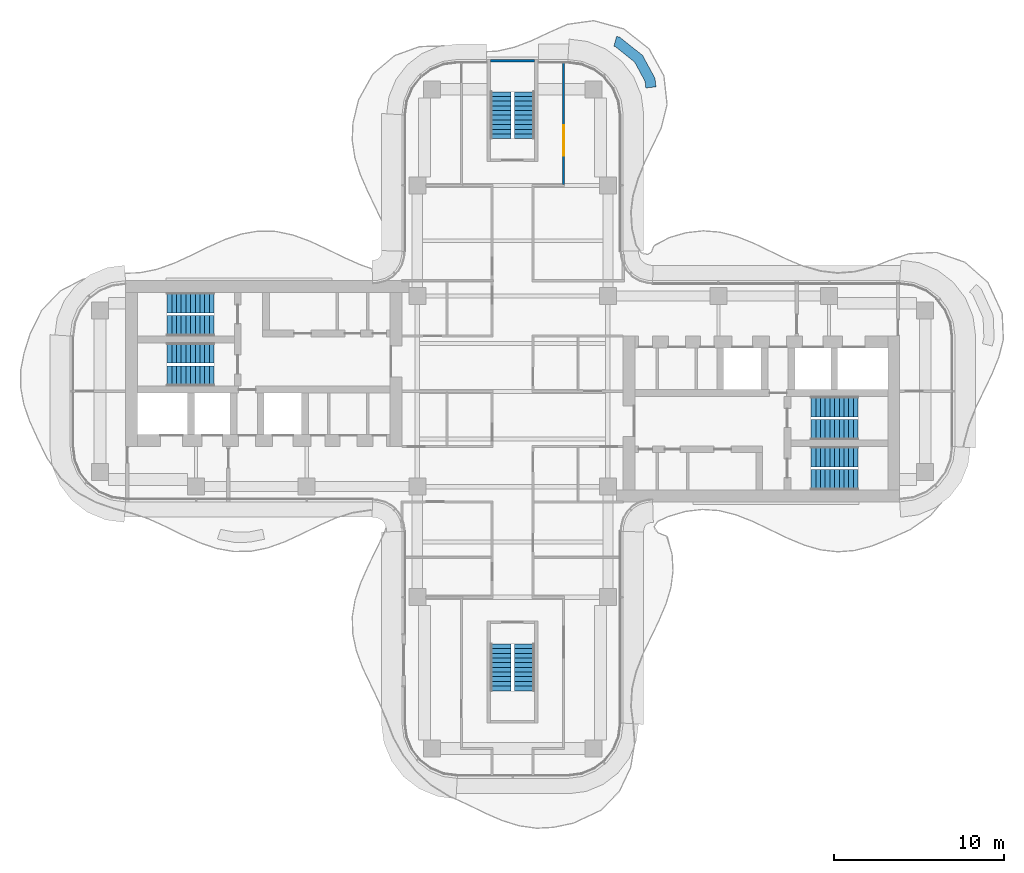
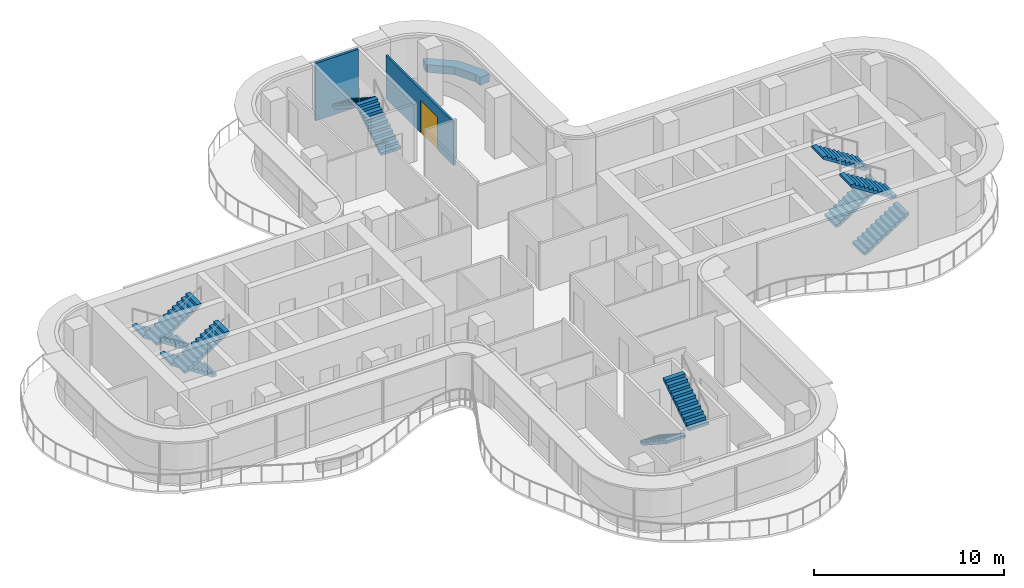
# One storey, part 14 of 16: 12 stair flights, 3 walls, 1 door, 1 opening, 6 elements without a shape of their own.
"""IFC4 building model written with IfcOpenShell, lengths in metres."""

import ifcopenshell
import ifcopenshell.guid

model = None  # the IFC model being written
_history = None  # IfcOwnerHistory: only IFC2X3 demands one
_inside = {}  # id of a spatial element -> (the spatial element, [elements in it])
_under = {}  # id of a project, library or spatial element -> (it, [spatial elements below it])
_declared = {}  # id of a project -> (the project, [libraries it declares])
_typed = {}  # id of a type object -> (the type object, [elements of that type])
_made_of = {}  # id of a material, layer set ... -> (it, [elements and type objects made of it])


def new_model(schema):
    """Start an empty IFC model of exactly this schema.

    Asked for "IFC4X3", IfcOpenShell would pick the latest addendum, in which some entities
    have other attributes; the version numbers below select the first issue.
    IFC2X3 requires an IfcOwnerHistory on every rooted entity: one is made here for all.
    """
    global model, _history
    if schema == "IFC4X3":
        model = ifcopenshell.file(schema_version=(4, 3, 0, 0))
    else:
        model = ifcopenshell.file(schema=schema)
    _inside.clear()
    _under.clear()
    _declared.clear()
    _typed.clear()
    _made_of.clear()
    _history = None
    if model.schema == "IFC2X3":
        org = make("IfcOrganization", Name="unknown")
        user = make(
            "IfcPersonAndOrganization",
            ThePerson=make("IfcPerson", FamilyName="unknown"),
            TheOrganization=org,
        )
        app = make(
            "IfcApplication",
            ApplicationDeveloper=org,
            Version="unknown",
            ApplicationFullName="unknown",
            ApplicationIdentifier="unknown",
        )
        _history = make(
            "IfcOwnerHistory",
            OwningUser=user,
            OwningApplication=app,
            ChangeAction="ADDED",
            CreationDate=0,
        )
    return model


def make(cls, **values):
    """One entity of the class cls with the attributes given. An attribute that is None is left unset."""
    return model.create_entity(
        cls, **{name: value for name, value in values.items() if value is not None}
    )


def rooted(cls, **values):
    """An entity with a GlobalId (a new one), such as an element, a storey or a relation."""
    return make(cls, GlobalId=ifcopenshell.guid.new(), OwnerHistory=_history, **values)


def si_unit(unit_type, name, prefix=None):
    """IfcSIUnit, for example si_unit("LENGTHUNIT", "METRE", prefix="MILLI")."""
    return make("IfcSIUnit", UnitType=unit_type, Prefix=prefix, Name=name)


def assignment(units):
    """IfcUnitAssignment: the units of a project."""
    return None if units is None else make("IfcUnitAssignment", Units=units)


def point(xyz):
    """IfcCartesianPoint."""
    return None if xyz is None else make("IfcCartesianPoint", Coordinates=xyz)


def direction(xyz):
    """IfcDirection."""
    return None if xyz is None else make("IfcDirection", DirectionRatios=xyz)


def frame(location, z_axis=None, x_axis=None):
    """IfcAxis2Placement3D, a coordinate frame: its origin and axes. An axis left out is left unset."""
    return make(
        "IfcAxis2Placement3D",
        Location=point(location),
        Axis=direction(z_axis),
        RefDirection=direction(x_axis),
    )


def frame_2d(location, x_axis=None):
    """IfcAxis2Placement2D, a coordinate frame in the plane: its origin and x axis."""
    return make(
        "IfcAxis2Placement2D", Location=point(location), RefDirection=direction(x_axis)
    )


def origin():
    """The frame at (0, 0, 0) with its axes left unset."""
    return frame((0.0, 0.0, 0.0))


def place(relative_to, where):
    """IfcLocalPlacement: puts the frame where relative to a parent placement (None: the world)."""
    return make(
        "IfcLocalPlacement", PlacementRelTo=relative_to, RelativePlacement=where
    )


def context(
    kind, dimensions, precision=None, world=None, true_north=None, identifier=None
):
    """IfcGeometricRepresentationContext, for example the 3D "Model" context."""
    return make(
        "IfcGeometricRepresentationContext",
        ContextIdentifier=identifier,
        ContextType=kind,
        CoordinateSpaceDimension=dimensions,
        Precision=precision,
        WorldCoordinateSystem=world,
        TrueNorth=true_north,
    )


def subcontext(parent, identifier, kind, view, scale=None):
    """IfcGeometricRepresentationSubContext, for example "Body" below "Model"."""
    return make(
        "IfcGeometricRepresentationSubContext",
        ContextIdentifier=identifier,
        ContextType=kind,
        ParentContext=parent,
        TargetScale=scale,
        TargetView=view,
    )


def project(units=None, contexts=None):
    """IfcProject with its units and contexts."""
    return rooted(
        "IfcProject",
        Name="project",
        RepresentationContexts=contexts,
        UnitsInContext=assignment(units),
    )


def spatial(cls, under=None, at=None, **own):
    """A site, building, storey or space (cls), placed at a placement, below another one or the project."""
    s = rooted(cls, ObjectPlacement=at, **own)
    if under is not None:
        _under.setdefault(under.id(), (under, []))[1].append(s)
    return s


def polyline(points):
    """IfcPolyline through the points."""
    return make("IfcPolyline", Points=[point(p) for p in points])


def profile(cls, at=None, kind="AREA", **sizes):
    """A parametric profile (cls). Its sizes go by their IFC names, for example OverallWidth=200.0."""
    return make(cls, ProfileType=kind, Position=at, **sizes)


def rectangle(**sizes):
    """IfcRectangleProfileDef."""
    return profile("IfcRectangleProfileDef", **sizes)


def outline(outer, holes=None, kind="AREA"):
    """IfcArbitraryClosedProfileDef: a profile drawn as a closed curve; with holes, ...WithVoids."""
    if holes is None:
        return make("IfcArbitraryClosedProfileDef", ProfileType=kind, OuterCurve=outer)
    return make(
        "IfcArbitraryProfileDefWithVoids",
        ProfileType=kind,
        OuterCurve=outer,
        InnerCurves=holes,
    )


def extrude(swept, where, along, depth):
    """IfcExtrudedAreaSolid: the profile swept, set in the frame where, extruded along a direction by depth."""
    return make(
        "IfcExtrudedAreaSolid",
        SweptArea=swept,
        Position=where,
        ExtrudedDirection=direction(along),
        Depth=depth,
    )


def shape(context_of_items, identifier, shape_type, items):
    """IfcShapeRepresentation: the items that make up one representation, for example the "Body"."""
    return make(
        "IfcShapeRepresentation",
        ContextOfItems=context_of_items,
        RepresentationIdentifier=identifier,
        RepresentationType=shape_type,
        Items=items,
    )


def source(mapping_origin, context_of_items, identifier, shape_type, items):
    """IfcRepresentationMap: a shape defined once, which mapped items show again and again."""
    return make(
        "IfcRepresentationMap",
        MappingOrigin=mapping_origin,
        MappedRepresentation=shape(context_of_items, identifier, shape_type, items),
    )


def transform(
    local_origin,
    x_axis=None,
    y_axis=None,
    z_axis=None,
    scale=None,
    scale2=None,
    scale3=None,
    uniform=True,
):
    """IfcCartesianTransformationOperator3D, or its non-uniform kind. x_axis, y_axis, z_axis: its Axis1, 2, 3."""
    if uniform:
        return make(
            "IfcCartesianTransformationOperator3D",
            Axis1=direction(x_axis),
            Axis2=direction(y_axis),
            LocalOrigin=point(local_origin),
            Scale=scale,
            Axis3=direction(z_axis),
        )
    return make(
        "IfcCartesianTransformationOperator3DnonUniform",
        Axis1=direction(x_axis),
        Axis2=direction(y_axis),
        LocalOrigin=point(local_origin),
        Scale=scale,
        Axis3=direction(z_axis),
        Scale2=scale2,
        Scale3=scale3,
    )


def mapped(mapping_source, mapping_target):
    """IfcMappedItem: shows the shape of a source again, moved by a transform."""
    return make(
        "IfcMappedItem", MappingSource=mapping_source, MappingTarget=mapping_target
    )


def material(Name=None, Category=None):
    """IfcMaterial."""
    return make("IfcMaterial", Name=Name, Category=Category)


def layer(
    of_material, thickness, ventilated=None, Name=None, Category=None, Priority=None
):
    """IfcMaterialLayer: one layer of a wall or slab, of a material (None: an air gap)."""
    return make(
        "IfcMaterialLayer",
        Material=of_material,
        LayerThickness=thickness,
        IsVentilated=ventilated,
        Name=Name,
        Category=Category,
        Priority=Priority,
    )


def layer_set(layers, Name=None):
    """IfcMaterialLayerSet."""
    return make("IfcMaterialLayerSet", MaterialLayers=layers, LayerSetName=Name)


def made_of(thing, what):
    """Note that an element or type object is made of a material, layer set ...; save() writes the relation."""
    if what is not None:
        _made_of.setdefault(what.id(), (what, []))[1].append(thing)
    return thing


def type_object(cls, material=None, **own):
    """A type object (cls), such as IfcWallType, which elements share."""
    return made_of(rooted(cls, **own), material)


def element(
    cls,
    number,
    at=None,
    inside=None,
    cuts=None,
    type_object=None,
    material=None,
    context=None,
    identifier="Body",
    shape_type=None,
    held_by="IfcProductDefinitionShape",
    body=None,
    shapes=None,
    **own,
):
    """One element of the class cls, such as IfcWall. Its Tag is "e" and its number.

    at: its placement. inside: the storey or other place that contains it. cuts: it is an
    opening in that element (IfcRelVoidsElement). A single representation is given by context,
    identifier, shape_type and body (its items); several are given by shapes. held_by: the class
    of the entity that holds the representations. save() writes the other relations.
    """
    e = rooted(cls, Tag="e%d" % number, ObjectPlacement=at, **own)
    if body is not None:
        shapes = [shape(context, identifier, shape_type, body)]
    if shapes is not None:
        e.Representation = make(held_by, Representations=shapes)
    if inside is not None:
        _inside.setdefault(inside.id(), (inside, []))[1].append(e)
    if cuts is not None:
        rooted(
            "IfcRelVoidsElement", RelatingBuildingElement=cuts, RelatedOpeningElement=e
        )
    if type_object is not None:
        _typed.setdefault(type_object.id(), (type_object, []))[1].append(e)
    return made_of(e, material)


def fill(opening, filler):
    """IfcRelFillsElement: the door or window that sits in an opening."""
    return rooted(
        "IfcRelFillsElement",
        RelatingOpeningElement=opening,
        RelatedBuildingElement=filler,
    )


def aggregate(whole, parts):
    """IfcRelAggregates: a whole, such as a stair, and the parts it consists of."""
    return rooted("IfcRelAggregates", RelatingObject=whole, RelatedObjects=parts)


def save(model, path):
    """Write the relations noted so far, then the file.

    IfcRelAggregates (storeys below a building ...), IfcRelContainedInSpatialStructure (elements
    in a storey), IfcRelDefinesByType, IfcRelAssociatesMaterial and IfcRelDeclares: one each for
    every whole, place, type object, material and project.
    """
    for whole, parts in _under.values():
        aggregate(whole, parts)
    for where, things in _inside.values():
        rooted(
            "IfcRelContainedInSpatialStructure",
            RelatedElements=things,
            RelatingStructure=where,
        )
    for kind, things in _typed.values():
        rooted("IfcRelDefinesByType", RelatedObjects=things, RelatingType=kind)
    for what, things in _made_of.values():
        rooted("IfcRelAssociatesMaterial", RelatedObjects=things, RelatingMaterial=what)
    for by, libraries in _declared.values():
        rooted("IfcRelDeclares", RelatingContext=by, RelatedDefinitions=libraries)
    model.write(path)


model = new_model("IFC4")

# Units and contexts
model_context = context("Model", 3, precision=1e-05, world=origin(), true_north=direction((0.0, 1.0)))
body_context = subcontext(model_context, "Body", "Model", "MODEL_VIEW")
ifc_project = project(units=[si_unit("LENGTHUNIT", "METRE"), si_unit("AREAUNIT", "SQUARE_METRE"), si_unit("VOLUMEUNIT", "CUBIC_METRE"), si_unit("PLANEANGLEUNIT", "RADIAN"), si_unit("MASSUNIT", "GRAM", prefix="KILO")], contexts=[model_context])

# Site, building, storey
site_placement = place(None, origin())
site = spatial("IfcSite", under=ifc_project, at=site_placement, CompositionType="ELEMENT")
building_placement = place(site_placement, origin())
building = spatial("IfcBuilding", under=site, at=building_placement, Name="Trellis Farm Tower", CompositionType="ELEMENT")
storey_placement = place(building_placement, frame((0.0, 0.0, 310.60009765625)))
storey = spatial("IfcBuildingStorey", under=building, at=storey_placement, Name="L70", CompositionType="ELEMENT", Elevation=310.60009765625)

# Wall, opening, door
ifc_material_1 = material(Name="Plasterboard on steel studs, mineral wool", Category="steel")
ifc_layer_1 = layer(ifc_material_1, 0.125)
ifc_layer_set_1 = layer_set([ifc_layer_1], Name="PARTITION 125 STUD EI 60")
wall_type_1 = type_object("IfcWallType", Name="PARTITION 125 STUD EI 60", PredefinedType="PARTITIONING", material=ifc_layer_set_1)
wall_1_placement = place(storey_placement, frame((3.0, 19.300048828125, 0.0), z_axis=(0.0, 0.0, 1.0), x_axis=(0.0, -1.0, 0.0)))
wall_1 = element("IfcWall", 1, at=wall_1_placement, inside=storey, type_object=wall_type_1, Name="Partition PW1", PredefinedType="PARTITIONING", context=body_context, shape_type="SweptSolid", body=[
    extrude(rectangle(XDim=7.137451171875, YDim=0.125, at=frame_2d((3.56884765625, 0.0))), origin(), (0.0, 0.0, 1.0), 2.77978515625),
])
shared_shape_1 = source(origin(), body_context, "Body", "SweptSolid", [
    extrude(rectangle(XDim=1.800048828125, YDim=2.10009765625, at=frame_2d((0.89990234375, 1.050048828125))), frame((0.0, 0.072509765625, 0.0), z_axis=(0.0, -1.0, 0.0), x_axis=(1.0, 0.0, 0.0)), (0.0, 0.0, 1.0), 0.14501953125),
])
opening_placement = place(wall_1_placement, frame((3.64990234375, 0.0, 0.0)))
opening = element("IfcOpeningElement", 2, at=opening_placement, cuts=wall_1, Name="Opening D202", PredefinedType="OPENING", context=body_context, shape_type="MappedRepresentation", body=[
    mapped(shared_shape_1, transform((0.0, 0.0, 0.0))),
])
ifc_material_2 = material(Name="Fire-rated timber door leaf in a hollow metal frame", Category="wood")
door_type = type_object("IfcDoorType", Name="DOOR PAIR 1800x2100 FD30S", OperationType="NOTDEFINED", PredefinedType="DOOR", material=ifc_material_2)
shared_shape_2 = source(origin(), body_context, "Body", "SweptSolid", [
    extrude(rectangle(XDim=1.800048828125, YDim=2.10009765625, at=frame_2d((0.89990234375, 1.050048828125))), frame((0.0, 0.02490234375, 0.0), z_axis=(0.0, -1.0, 0.0), x_axis=(1.0, 0.0, 0.0)), (0.0, 0.0, 1.0), 0.050048828125),
])
door_placement = place(opening_placement, origin())
door = element("IfcDoor", 3, at=door_placement, inside=storey, type_object=door_type, Name="Door D202", OperationType="DOUBLE_DOOR_SINGLE_SWING", OverallHeight=2.10009765625, OverallWidth=1.800048828125, PredefinedType="DOOR", context=body_context, shape_type="MappedRepresentation", body=[
    mapped(shared_shape_2, transform((0.0, 0.0, 0.0))),
])
fill(opening, door)

# Walls
ifc_material_3 = material(Name="Sandstone faced masonry planter", Category="masonry")
ifc_layer_2 = layer(ifc_material_3, 0.60009765625)
ifc_layer_set_2 = layer_set([ifc_layer_2], Name="PLANTER BED 600")
wall_type_2 = type_object("IfcWallType", Name="PLANTER BED 600", PredefinedType="USERDEFINED", material=ifc_layer_set_2)
placement = place(storey_placement, origin())
element("IfcWall", 4, at=placement, inside=storey, type_object=wall_type_2, Name="PLANTER bed", ObjectType="PLANTER", PredefinedType="USERDEFINED", context=body_context, shape_type="SweptSolid", body=[
    extrude(outline(polyline([(6.3056640625, 20.80712890625), (7.637939453125, 19.742919921875), (8.369873046875, 18.39892578125), (8.42529296875, 17.89306640625), (7.8291015625, 17.82763671875), (7.786376953125, 18.216064453125), (7.1689453125, 19.349609375), (6.027587890625, 20.26123046875), (5.953125, 20.28173828125), (6.112548828125, 20.860107421875), (6.3056640625, 20.80712890625)])), origin(), (0.0, 0.0, 1.0), 0.5),
])
ifc_material_4 = material(Name="Concrete C50/60", Category="concrete")
ifc_layer_3 = layer(ifc_material_4, 0.14990234375)
ifc_layer_set_3 = layer_set([ifc_layer_3], Name="CORE STAIR ENCLOSURE WALL 150 CONCRETE C50/60")
wall_type_3 = type_object("IfcWallType", Name="CORE STAIR ENCLOSURE WALL 150 CONCRETE C50/60", PredefinedType="SHEAR", material=ifc_layer_set_3)
shared_shape_3 = source(origin(), body_context, "Body", "SweptSolid", [
    extrude(rectangle(XDim=2.60009765625, YDim=0.14990234375, at=frame_2d((1.300048828125, 0.0))), origin(), (0.0, 0.0, 1.0), 3.699951171875),
])
wall_3_placement = place(storey_placement, frame((-1.300048828125, 19.425048828125, 0.0), z_axis=(0.0, 0.0, 1.0), x_axis=(1.0, 0.0, 0.0)))
element("IfcWall", 5, at=wall_3_placement, inside=storey, type_object=wall_type_3, Name="Stair enclosure wall", PredefinedType="SHEAR", context=body_context, shape_type="MappedRepresentation", body=[
    mapped(shared_shape_3, transform((0.0, 0.0, 0.0))),
])

# Stair, stair flights
stair_type = type_object("IfcStairType", Name="CORE EXIT STAIR 22 RISERS 177 MM", PredefinedType="HALF_TURN_STAIR", material=ifc_material_4)
stair_1 = element("IfcStair", 6, at=placement, inside=storey, type_object=stair_type, Name="Exit stair N", PredefinedType="HALF_TURN_STAIR")
stair_flight_type = type_object("IfcStairFlightType", Name="STAIR FLIGHT 11 RISERS 177 MM", PredefinedType="STRAIGHT", material=ifc_material_4)
shared_shape_4 = source(origin(), body_context, "Body", "SweptSolid", [
    extrude(outline(polyline([(0.0, 0.0), (0.0, 0.17724609375), (0.27490234375, 0.17724609375), (0.27490234375, 0.3544921875), (0.550048828125, 0.3544921875), (0.550048828125, 0.53173828125), (0.824951171875, 0.53173828125), (0.824951171875, 0.708984375), (1.10009765625, 0.708984375), (1.10009765625, 0.886474609375), (1.375, 0.886474609375), (1.375, 1.063720703125), (1.64990234375, 1.063720703125), (1.64990234375, 1.240966796875), (1.925048828125, 1.240966796875), (1.925048828125, 1.418212890625), (2.199951171875, 1.418212890625), (2.199951171875, 1.595458984375), (2.47509765625, 1.595458984375), (2.47509765625, 1.772705078125), (2.75, 1.772705078125), (2.75, 1.949951171875), (2.75, 1.6181640625), (0.23974609375, 0.0), (0.0, 0.0)])), frame((0.0, 0.60009765625, 0.0), z_axis=(0.0, -1.0, 0.0), x_axis=(1.0, 0.0, 0.0)), (0.0, 0.0, 1.0), 1.199951171875),
])
stair_flight_1_placement = place(storey_placement, frame((0.699951171875, 14.85009765625, 0.0), z_axis=(0.0, 0.0, 1.0), x_axis=(0.0, 1.0, 0.0)))
stair_flight_1 = element("IfcStairFlight", 7, at=stair_flight_1_placement, type_object=stair_flight_type, Name="STN flight 1", NumberOfRisers=11, NumberOfTreads=10, PredefinedType="STRAIGHT", RiserHeight=0.177272727, TreadLength=0.275, context=body_context, shape_type="MappedRepresentation", body=[
    mapped(shared_shape_4, transform((0.0, 0.0, 0.0))),
])
stair_flight_2_placement = place(storey_placement, frame((-0.699951171875, 17.60009765625, 1.949951171875), z_axis=(0.0, 0.0, 1.0), x_axis=(0.0, -1.0, 0.0)))
stair_flight_2 = element("IfcStairFlight", 8, at=stair_flight_2_placement, type_object=stair_flight_type, Name="STN flight 2", NumberOfRisers=11, NumberOfTreads=10, PredefinedType="STRAIGHT", RiserHeight=0.177272727, TreadLength=0.275, context=body_context, shape_type="MappedRepresentation", body=[
    mapped(shared_shape_4, transform((0.0, 0.0, 0.0))),
])
aggregate(stair_1, [stair_flight_1, stair_flight_2])

stair_2 = element("IfcStair", 9, at=placement, inside=storey, type_object=stair_type, Name="Exit stair S", PredefinedType="HALF_TURN_STAIR")
stair_flight_3_placement = place(storey_placement, frame((-0.699951171875, -14.85009765625, 0.0), z_axis=(0.0, 0.0, 1.0), x_axis=(0.0, -1.0, 0.0)))
stair_flight_3 = element("IfcStairFlight", 10, at=stair_flight_3_placement, type_object=stair_flight_type, Name="STS flight 1", NumberOfRisers=11, NumberOfTreads=10, PredefinedType="STRAIGHT", RiserHeight=0.177272727, TreadLength=0.275, context=body_context, shape_type="MappedRepresentation", body=[
    mapped(shared_shape_4, transform((0.0, 0.0, 0.0))),
])
stair_flight_4_placement = place(storey_placement, frame((0.699951171875, -17.60009765625, 1.949951171875), z_axis=(0.0, 0.0, 1.0), x_axis=(0.0, 1.0, 0.0)))
stair_flight_4 = element("IfcStairFlight", 11, at=stair_flight_4_placement, type_object=stair_flight_type, Name="STS flight 2", NumberOfRisers=11, NumberOfTreads=10, PredefinedType="STRAIGHT", RiserHeight=0.177272727, TreadLength=0.275, context=body_context, shape_type="MappedRepresentation", body=[
    mapped(shared_shape_4, transform((0.0, 0.0, 0.0))),
])
aggregate(stair_2, [stair_flight_3, stair_flight_4])

stair_3 = element("IfcStair", 12, at=placement, inside=storey, type_object=stair_type, Name="Exit stair E1", PredefinedType="HALF_TURN_STAIR")
stair_flight_5_placement = place(storey_placement, frame((17.550048828125, -5.199951171875, 0.0), z_axis=(0.0, 0.0, 1.0), x_axis=(1.0, 0.0, 0.0)))
stair_flight_5 = element("IfcStairFlight", 13, at=stair_flight_5_placement, type_object=stair_flight_type, Name="STE1 flight 1", NumberOfRisers=11, NumberOfTreads=10, PredefinedType="STRAIGHT", RiserHeight=0.177272727, TreadLength=0.275, context=body_context, shape_type="MappedRepresentation", body=[
    mapped(shared_shape_4, transform((0.0, 0.0, 0.0))),
])
stair_flight_6_placement = place(storey_placement, frame((20.300048828125, -3.85009765625, 1.949951171875), z_axis=(0.0, 0.0, 1.0), x_axis=(-1.0, 0.0, 0.0)))
stair_flight_6 = element("IfcStairFlight", 14, at=stair_flight_6_placement, type_object=stair_flight_type, Name="STE1 flight 2", NumberOfRisers=11, NumberOfTreads=10, PredefinedType="STRAIGHT", RiserHeight=0.177272727, TreadLength=0.275, context=body_context, shape_type="MappedRepresentation", body=[
    mapped(shared_shape_4, transform((0.0, 0.0, 0.0))),
])
aggregate(stair_3, [stair_flight_5, stair_flight_6])

stair_4 = element("IfcStair", 15, at=placement, inside=storey, type_object=stair_type, Name="Exit stair E2", PredefinedType="HALF_TURN_STAIR")
stair_flight_7_placement = place(storey_placement, frame((17.550048828125, -2.25, 0.0), z_axis=(0.0, 0.0, 1.0), x_axis=(1.0, 0.0, 0.0)))
stair_flight_7 = element("IfcStairFlight", 16, at=stair_flight_7_placement, type_object=stair_flight_type, Name="STE2 flight 1", NumberOfRisers=11, NumberOfTreads=10, PredefinedType="STRAIGHT", RiserHeight=0.177272727, TreadLength=0.275, context=body_context, shape_type="MappedRepresentation", body=[
    mapped(shared_shape_4, transform((0.0, 0.0, 0.0))),
])
stair_flight_8_placement = place(storey_placement, frame((20.300048828125, -0.89990234375, 1.949951171875), z_axis=(0.0, 0.0, 1.0), x_axis=(-1.0, 0.0, 0.0)))
stair_flight_8 = element("IfcStairFlight", 17, at=stair_flight_8_placement, type_object=stair_flight_type, Name="STE2 flight 2", NumberOfRisers=11, NumberOfTreads=10, PredefinedType="STRAIGHT", RiserHeight=0.177272727, TreadLength=0.275, context=body_context, shape_type="MappedRepresentation", body=[
    mapped(shared_shape_4, transform((0.0, 0.0, 0.0))),
])
aggregate(stair_4, [stair_flight_7, stair_flight_8])

stair_5 = element("IfcStair", 18, at=placement, inside=storey, type_object=stair_type, Name="Exit stair W1", PredefinedType="HALF_TURN_STAIR")
stair_flight_9_placement = place(storey_placement, frame((-17.550048828125, 5.199951171875, 0.0), z_axis=(0.0, 0.0, 1.0), x_axis=(-1.0, 0.0, 0.0)))
stair_flight_9 = element("IfcStairFlight", 19, at=stair_flight_9_placement, type_object=stair_flight_type, Name="STW1 flight 1", NumberOfRisers=11, NumberOfTreads=10, PredefinedType="STRAIGHT", RiserHeight=0.177272727, TreadLength=0.275, context=body_context, shape_type="MappedRepresentation", body=[
    mapped(shared_shape_4, transform((0.0, 0.0, 0.0))),
])
stair_flight_10_placement = place(storey_placement, frame((-20.300048828125, 3.85009765625, 1.949951171875), z_axis=(0.0, 0.0, 1.0), x_axis=(1.0, 0.0, 0.0)))
stair_flight_10 = element("IfcStairFlight", 20, at=stair_flight_10_placement, type_object=stair_flight_type, Name="STW1 flight 2", NumberOfRisers=11, NumberOfTreads=10, PredefinedType="STRAIGHT", RiserHeight=0.177272727, TreadLength=0.275, context=body_context, shape_type="MappedRepresentation", body=[
    mapped(shared_shape_4, transform((0.0, 0.0, 0.0))),
])
aggregate(stair_5, [stair_flight_9, stair_flight_10])

stair_6 = element("IfcStair", 21, at=placement, inside=storey, type_object=stair_type, Name="Exit stair W2", PredefinedType="HALF_TURN_STAIR")
stair_flight_11_placement = place(storey_placement, frame((-17.550048828125, 2.25, 0.0), z_axis=(0.0, 0.0, 1.0), x_axis=(-1.0, 0.0, 0.0)))
stair_flight_11 = element("IfcStairFlight", 22, at=stair_flight_11_placement, type_object=stair_flight_type, Name="STW2 flight 1", NumberOfRisers=11, NumberOfTreads=10, PredefinedType="STRAIGHT", RiserHeight=0.177272727, TreadLength=0.275, context=body_context, shape_type="MappedRepresentation", body=[
    mapped(shared_shape_4, transform((0.0, 0.0, 0.0))),
])
stair_flight_12_placement = place(storey_placement, frame((-20.300048828125, 0.89990234375, 1.949951171875), z_axis=(0.0, 0.0, 1.0), x_axis=(1.0, 0.0, 0.0)))
stair_flight_12 = element("IfcStairFlight", 23, at=stair_flight_12_placement, type_object=stair_flight_type, Name="STW2 flight 2", NumberOfRisers=11, NumberOfTreads=10, PredefinedType="STRAIGHT", RiserHeight=0.177272727, TreadLength=0.275, context=body_context, shape_type="MappedRepresentation", body=[
    mapped(shared_shape_4, transform((0.0, 0.0, 0.0))),
])
aggregate(stair_6, [stair_flight_11, stair_flight_12])

save(model, "model.ifc")
